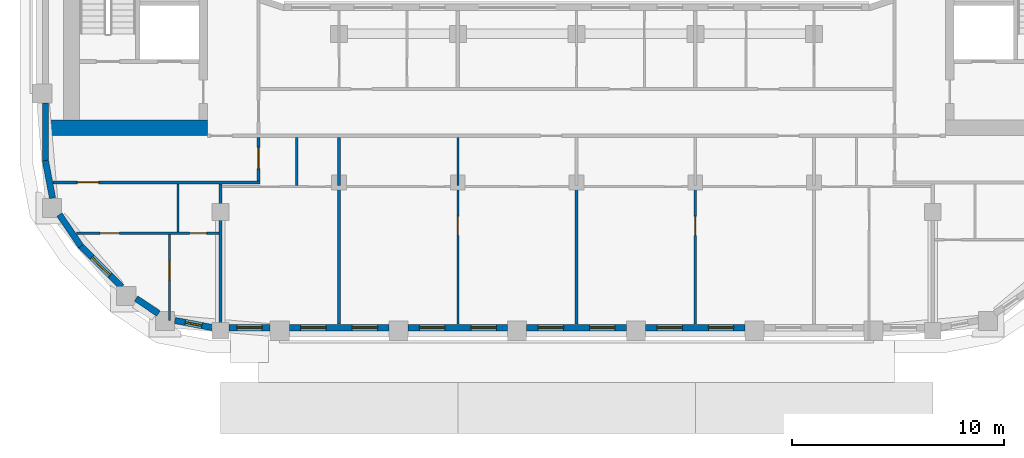
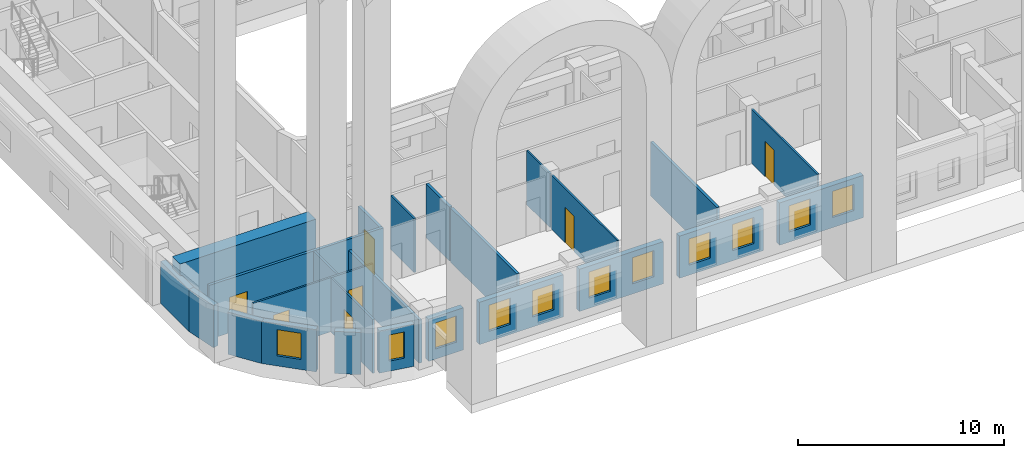
# One storey, part 2 of 20: 25 walls, 11 windows, 7 doors, 18 openings.
"""IFC4 building model written with IfcOpenShell, lengths in metres."""

from ifc_helpers import new_model, si_unit, direction, frame, frame_2d, origin, place, context, subcontext, project, spatial, rectangle, extrude, material, layer, layer_set, type_object, element, fill, save


model = new_model("IFC4")

# Units and contexts
model_context = context("Model", 3, precision=1e-05, world=origin(), true_north=direction((0.0, 1.0)))
body_context = subcontext(model_context, "Body", "Model", "MODEL_VIEW")
ifc_project = project(units=[si_unit("LENGTHUNIT", "METRE"), si_unit("AREAUNIT", "SQUARE_METRE"), si_unit("VOLUMEUNIT", "CUBIC_METRE"), si_unit("PLANEANGLEUNIT", "RADIAN"), si_unit("MASSUNIT", "GRAM", prefix="KILO")], contexts=[model_context])

# Site, building, storey
site_placement = place(None, origin())
site = spatial("IfcSite", under=ifc_project, at=site_placement, CompositionType="ELEMENT")
building_placement = place(site_placement, origin())
building = spatial("IfcBuilding", under=site, at=building_placement, Name="Kiln Ring Residences", CompositionType="ELEMENT")
storey_placement = place(building_placement, frame((0.0, 0.0, 188.89990234375)))
storey = spatial("IfcBuildingStorey", under=building, at=storey_placement, Name="L48", CompositionType="ELEMENT", Elevation=188.89990234375)

# Wall
ifc_material_1 = material(Name="Concrete C60/75", Category="concrete")
ifc_layer_1 = layer(ifc_material_1, 0.75)
ifc_layer_set_1 = layer_set([ifc_layer_1], Name="CORE-WALL-RC750")
wall_type_1 = type_object("IfcWallType", Name="CORE-WALL-RC750", PredefinedType="SHEAR", material=ifc_layer_set_1)
wall_1_placement = place(storey_placement, frame((-17.39990234375, -12.824951171875, 0.0), z_axis=(0.0, 0.0, 1.0), x_axis=(-1.0, 0.0, 0.0)))
element("IfcWall", 1, at=wall_1_placement, inside=storey, type_object=wall_type_1, Name="Core wall west L48 5", PredefinedType="SHEAR", context=body_context, shape_type="SweptSolid", body=[
    extrude(rectangle(XDim=7.60009765625, YDim=0.75, at=frame_2d((3.800048828125, 0.0))), origin(), (0.0, 0.0, 1.0), 3.2001953125),
])

# Wall, opening, window
ifc_material_2 = material(Name="Brick masonry, dark clay brick", Category="masonry")
ifc_layer_2 = layer(ifc_material_2, 0.300048828125)
ifc_layer_set_2 = layer_set([ifc_layer_2], Name="EW-300 BRICK WALL")
wall_type_2 = type_object("IfcWallType", Name="EW-300 BRICK WALL", PredefinedType="SOLIDWALL", material=ifc_layer_set_2)
wall_2_placement = place(storey_placement, frame((-23.39697265625, -18.390869140625, 0.0), z_axis=(0.0, 0.0, 1.0), x_axis=(0.707106781187, -0.707106781187, 0.0)))
wall_2 = element("IfcWall", 2, at=wall_2_placement, inside=storey, type_object=wall_type_2, Name="Facade wall L48 1", PredefinedType="SOLIDWALL", context=body_context, shape_type="SweptSolid", body=[
    extrude(rectangle(XDim=2.75, YDim=0.300048828125, at=frame_2d((1.375, 0.0))), origin(), (0.0, 0.0, 1.0), 2.5),
])
opening_1_placement = place(wall_2_placement, frame((0.77490234375, 0.0, 0.60009765625)))
opening_1 = element("IfcOpeningElement", 3, at=opening_1_placement, cuts=wall_2, Name="Opening W1", PredefinedType="OPENING", context=body_context, shape_type="SweptSolid", body=[
    extrude(rectangle(XDim=1.199951171875, YDim=1.550048828125, at=frame_2d((0.60009765625, 0.77490234375))), frame((0.0, 0.159912109375, 0.0), z_axis=(0.0, -1.0, 0.0), x_axis=(1.0, 0.0, 0.0)), (0.0, 0.0, 1.0), 0.320068359375),
])
ifc_material_3 = material(Name="Aluminium frame with double glazing", Category="aluminium")
window_type_1 = type_object("IfcWindowType", Name="WINDOW 1200 x 1550", PartitioningType="SINGLE_PANEL", PredefinedType="WINDOW", material=ifc_material_3)
window_1_placement = place(opening_1_placement, origin())
window_1 = element("IfcWindow", 4, at=window_1_placement, inside=storey, type_object=window_type_1, Name="Window L48 1", OverallHeight=1.550048828125, OverallWidth=1.199951171875, PartitioningType="SINGLE_PANEL", PredefinedType="WINDOW", context=body_context, shape_type="SweptSolid", body=[
    extrude(rectangle(XDim=1.199951171875, YDim=1.550048828125, at=frame_2d((0.60009765625, 0.77490234375))), frame((0.0, 0.030029296875, 0.0), z_axis=(0.0, -1.0, 0.0), x_axis=(1.0, 0.0, 0.0)), (0.0, 0.0, 1.0), 0.06005859375),
])
fill(opening_1, window_1)

# Wall
wall_3_placement = place(storey_placement, frame((-20.775146484375, -20.876220703125, 0.0), z_axis=(0.0, 0.0, 1.0), x_axis=(0.827075824828, -0.562090366388, 0.0)))
element("IfcWall", 5, at=wall_3_placement, inside=storey, type_object=wall_type_2, Name="Facade wall L48 2", PredefinedType="SOLIDWALL", context=body_context, shape_type="SweptSolid", body=[
    extrude(rectangle(XDim=1.27685546875, YDim=0.300048828125, at=frame_2d((0.638427734375, 0.0))), origin(), (0.0, 0.0, 1.0), 2.5),
])

# Wall, opening, window
wall_4_placement = place(storey_placement, frame((-18.946044921875, -21.914306640625, 0.0), z_axis=(0.0, 0.0, 1.0), x_axis=(0.98230529033, -0.187286722942, 0.0)))
wall_4 = element("IfcWall", 6, at=wall_4_placement, inside=storey, type_object=wall_type_2, Name="Facade wall L48 3", PredefinedType="SOLIDWALL", context=body_context, shape_type="SweptSolid", body=[
    extrude(rectangle(XDim=1.798828125, YDim=0.300048828125, at=frame_2d((0.8994140625, 0.0))), origin(), (0.0, 0.0, 1.0), 2.5),
])
opening_2_placement = place(wall_4_placement, frame((0.49951171875, 0.0, 0.60009765625)))
opening_2 = element("IfcOpeningElement", 7, at=opening_2_placement, cuts=wall_4, Name="Opening W5", PredefinedType="OPENING", context=body_context, shape_type="SweptSolid", body=[
    extrude(rectangle(XDim=0.800048828125, YDim=1.550048828125, at=frame_2d((0.39990234375, 0.77490234375))), frame((0.0, 0.159912109375, 0.0), z_axis=(0.0, -1.0, 0.0), x_axis=(1.0, 0.0, 0.0)), (0.0, 0.0, 1.0), 0.320068359375),
])
ifc_material_4 = material(Name="Aluminium frame with double glazing", Category="aluminium")
window_type_2 = type_object("IfcWindowType", Name="WINDOW 800 x 1550", PartitioningType="SINGLE_PANEL", PredefinedType="WINDOW", material=ifc_material_4)
window_2_placement = place(opening_2_placement, origin())
window_2 = element("IfcWindow", 8, at=window_2_placement, inside=storey, type_object=window_type_2, Name="Window L48 2", OverallHeight=1.550048828125, OverallWidth=0.800048828125, PartitioningType="SINGLE_PANEL", PredefinedType="WINDOW", context=body_context, shape_type="SweptSolid", body=[
    extrude(rectangle(XDim=0.800048828125, YDim=1.550048828125, at=frame_2d((0.39990234375, 0.77490234375))), frame((0.0, 0.030029296875, 0.0), z_axis=(0.0, -1.0, 0.0), x_axis=(1.0, 0.0, 0.0)), (0.0, 0.0, 1.0), 0.06005859375),
])
fill(opening_2, window_2)

wall_5_placement = place(storey_placement, frame((-16.39990234375, -22.25, 0.0), z_axis=(0.0, 0.0, 1.0), x_axis=(1.0, 0.0, 0.0)))
wall_5 = element("IfcWall", 9, at=wall_5_placement, inside=storey, type_object=wall_type_2, Name="Facade wall L48 4", PredefinedType="SOLIDWALL", context=body_context, shape_type="SweptSolid", body=[
    extrude(rectangle(XDim=1.949951171875, YDim=0.300048828125, at=frame_2d((0.97509765625, 0.0))), origin(), (0.0, 0.0, 1.0), 2.5),
])
opening_3_placement = place(wall_5_placement, frame((0.375, 0.0, 0.60009765625)))
opening_3 = element("IfcOpeningElement", 10, at=opening_3_placement, cuts=wall_5, Name="Opening W1", PredefinedType="OPENING", context=body_context, shape_type="SweptSolid", body=[
    extrude(rectangle(XDim=1.199951171875, YDim=1.550048828125, at=frame_2d((0.60009765625, 0.77490234375))), frame((0.0, 0.159912109375, 0.0), z_axis=(0.0, -1.0, 0.0), x_axis=(1.0, 0.0, 0.0)), (0.0, 0.0, 1.0), 0.320068359375),
])
window_3_placement = place(opening_3_placement, origin())
window_3 = element("IfcWindow", 11, at=window_3_placement, inside=storey, type_object=window_type_1, Name="Window L48 3", OverallHeight=1.550048828125, OverallWidth=1.199951171875, PartitioningType="SINGLE_PANEL", PredefinedType="WINDOW", context=body_context, shape_type="SweptSolid", body=[
    extrude(rectangle(XDim=1.199951171875, YDim=1.550048828125, at=frame_2d((0.60009765625, 0.77490234375))), frame((0.0, 0.030029296875, 0.0), z_axis=(0.0, -1.0, 0.0), x_axis=(1.0, 0.0, 0.0)), (0.0, 0.0, 1.0), 0.06005859375),
])
fill(opening_3, window_3)

# Wall, openings, windows
wall_6_placement = place(storey_placement, frame((-13.550048828125, -22.25, 0.0), z_axis=(0.0, 0.0, 1.0), x_axis=(1.0, 0.0, 0.0)))
wall_6 = element("IfcWall", 12, at=wall_6_placement, inside=storey, type_object=wall_type_2, Name="Facade wall L48 5", PredefinedType="SOLIDWALL", context=body_context, shape_type="SweptSolid", body=[
    extrude(rectangle(XDim=4.699951171875, YDim=0.300048828125, at=frame_2d((2.35009765625, 0.0))), origin(), (0.0, 0.0, 1.0), 2.5),
])
opening_4_placement = place(wall_6_placement, frame((0.53759765625, 0.0, 0.60009765625)))
opening_4 = element("IfcOpeningElement", 13, at=opening_4_placement, cuts=wall_6, Name="Opening W1", PredefinedType="OPENING", context=body_context, shape_type="SweptSolid", body=[
    extrude(rectangle(XDim=1.199951171875, YDim=1.550048828125, at=frame_2d((0.60009765625, 0.77490234375))), frame((0.0, 0.159912109375, 0.0), z_axis=(0.0, -1.0, 0.0), x_axis=(1.0, 0.0, 0.0)), (0.0, 0.0, 1.0), 0.320068359375),
])
opening_5_placement = place(wall_6_placement, frame((2.96240234375, 0.0, 0.60009765625)))
opening_5 = element("IfcOpeningElement", 14, at=opening_5_placement, cuts=wall_6, Name="Opening W1", PredefinedType="OPENING", context=body_context, shape_type="SweptSolid", body=[
    extrude(rectangle(XDim=1.199951171875, YDim=1.550048828125, at=frame_2d((0.60009765625, 0.77490234375))), frame((0.0, 0.159912109375, 0.0), z_axis=(0.0, -1.0, 0.0), x_axis=(1.0, 0.0, 0.0)), (0.0, 0.0, 1.0), 0.320068359375),
])
window_4_placement = place(opening_4_placement, origin())
window_4 = element("IfcWindow", 15, at=window_4_placement, inside=storey, type_object=window_type_1, Name="Window L48 4", OverallHeight=1.550048828125, OverallWidth=1.199951171875, PartitioningType="SINGLE_PANEL", PredefinedType="WINDOW", context=body_context, shape_type="SweptSolid", body=[
    extrude(rectangle(XDim=1.199951171875, YDim=1.550048828125, at=frame_2d((0.60009765625, 0.77490234375))), frame((0.0, 0.030029296875, 0.0), z_axis=(0.0, -1.0, 0.0), x_axis=(1.0, 0.0, 0.0)), (0.0, 0.0, 1.0), 0.06005859375),
])
fill(opening_4, window_4)
window_5_placement = place(opening_5_placement, origin())
window_5 = element("IfcWindow", 16, at=window_5_placement, inside=storey, type_object=window_type_1, Name="Window L48 5", OverallHeight=1.550048828125, OverallWidth=1.199951171875, PartitioningType="SINGLE_PANEL", PredefinedType="WINDOW", context=body_context, shape_type="SweptSolid", body=[
    extrude(rectangle(XDim=1.199951171875, YDim=1.550048828125, at=frame_2d((0.60009765625, 0.77490234375))), frame((0.0, 0.030029296875, 0.0), z_axis=(0.0, -1.0, 0.0), x_axis=(1.0, 0.0, 0.0)), (0.0, 0.0, 1.0), 0.06005859375),
])
fill(opening_5, window_5)

wall_7_placement = place(storey_placement, frame((-7.949951171875, -22.25, 0.0), z_axis=(0.0, 0.0, 1.0), x_axis=(1.0, 0.0, 0.0)))
wall_7 = element("IfcWall", 17, at=wall_7_placement, inside=storey, type_object=wall_type_2, Name="Facade wall L48 6", PredefinedType="SOLIDWALL", context=body_context, shape_type="SweptSolid", body=[
    extrude(rectangle(XDim=4.699951171875, YDim=0.300048828125, at=frame_2d((2.35009765625, 0.0))), origin(), (0.0, 0.0, 1.0), 2.5),
])
opening_6_placement = place(wall_7_placement, frame((0.53759765625, 0.0, 0.60009765625)))
opening_6 = element("IfcOpeningElement", 18, at=opening_6_placement, cuts=wall_7, Name="Opening W1", PredefinedType="OPENING", context=body_context, shape_type="SweptSolid", body=[
    extrude(rectangle(XDim=1.199951171875, YDim=1.550048828125, at=frame_2d((0.60009765625, 0.77490234375))), frame((0.0, 0.159912109375, 0.0), z_axis=(0.0, -1.0, 0.0), x_axis=(1.0, 0.0, 0.0)), (0.0, 0.0, 1.0), 0.320068359375),
])
opening_7_placement = place(wall_7_placement, frame((2.96240234375, 0.0, 0.60009765625)))
opening_7 = element("IfcOpeningElement", 19, at=opening_7_placement, cuts=wall_7, Name="Opening W1", PredefinedType="OPENING", context=body_context, shape_type="SweptSolid", body=[
    extrude(rectangle(XDim=1.199951171875, YDim=1.550048828125, at=frame_2d((0.60009765625, 0.77490234375))), frame((0.0, 0.159912109375, 0.0), z_axis=(0.0, -1.0, 0.0), x_axis=(1.0, 0.0, 0.0)), (0.0, 0.0, 1.0), 0.320068359375),
])
window_6_placement = place(opening_6_placement, origin())
window_6 = element("IfcWindow", 20, at=window_6_placement, inside=storey, type_object=window_type_1, Name="Window L48 6", OverallHeight=1.550048828125, OverallWidth=1.199951171875, PartitioningType="SINGLE_PANEL", PredefinedType="WINDOW", context=body_context, shape_type="SweptSolid", body=[
    extrude(rectangle(XDim=1.199951171875, YDim=1.550048828125, at=frame_2d((0.60009765625, 0.77490234375))), frame((0.0, 0.030029296875, 0.0), z_axis=(0.0, -1.0, 0.0), x_axis=(1.0, 0.0, 0.0)), (0.0, 0.0, 1.0), 0.06005859375),
])
fill(opening_6, window_6)
window_7_placement = place(opening_7_placement, origin())
window_7 = element("IfcWindow", 21, at=window_7_placement, inside=storey, type_object=window_type_1, Name="Window L48 7", OverallHeight=1.550048828125, OverallWidth=1.199951171875, PartitioningType="SINGLE_PANEL", PredefinedType="WINDOW", context=body_context, shape_type="SweptSolid", body=[
    extrude(rectangle(XDim=1.199951171875, YDim=1.550048828125, at=frame_2d((0.60009765625, 0.77490234375))), frame((0.0, 0.030029296875, 0.0), z_axis=(0.0, -1.0, 0.0), x_axis=(1.0, 0.0, 0.0)), (0.0, 0.0, 1.0), 0.06005859375),
])
fill(opening_7, window_7)

wall_8_placement = place(storey_placement, frame((-2.35009765625, -22.25, 0.0), z_axis=(0.0, 0.0, 1.0), x_axis=(1.0, 0.0, 0.0)))
wall_8 = element("IfcWall", 22, at=wall_8_placement, inside=storey, type_object=wall_type_2, Name="Facade wall L48 7", PredefinedType="SOLIDWALL", context=body_context, shape_type="SweptSolid", body=[
    extrude(rectangle(XDim=4.7001953125, YDim=0.300048828125, at=frame_2d((2.35009765625, 0.0))), origin(), (0.0, 0.0, 1.0), 2.5),
])
opening_8_placement = place(wall_8_placement, frame((0.53759765625, 0.0, 0.60009765625)))
opening_8 = element("IfcOpeningElement", 23, at=opening_8_placement, cuts=wall_8, Name="Opening W1", PredefinedType="OPENING", context=body_context, shape_type="SweptSolid", body=[
    extrude(rectangle(XDim=1.199951171875, YDim=1.550048828125, at=frame_2d((0.60009765625, 0.77490234375))), frame((0.0, 0.159912109375, 0.0), z_axis=(0.0, -1.0, 0.0), x_axis=(1.0, 0.0, 0.0)), (0.0, 0.0, 1.0), 0.320068359375),
])
opening_9_placement = place(wall_8_placement, frame((2.96240234375, 0.0, 0.60009765625)))
opening_9 = element("IfcOpeningElement", 24, at=opening_9_placement, cuts=wall_8, Name="Opening W1", PredefinedType="OPENING", context=body_context, shape_type="SweptSolid", body=[
    extrude(rectangle(XDim=1.199951171875, YDim=1.550048828125, at=frame_2d((0.60009765625, 0.77490234375))), frame((0.0, 0.159912109375, 0.0), z_axis=(0.0, -1.0, 0.0), x_axis=(1.0, 0.0, 0.0)), (0.0, 0.0, 1.0), 0.320068359375),
])
window_8_placement = place(opening_8_placement, origin())
window_8 = element("IfcWindow", 25, at=window_8_placement, inside=storey, type_object=window_type_1, Name="Window L48 8", OverallHeight=1.550048828125, OverallWidth=1.199951171875, PartitioningType="SINGLE_PANEL", PredefinedType="WINDOW", context=body_context, shape_type="SweptSolid", body=[
    extrude(rectangle(XDim=1.199951171875, YDim=1.550048828125, at=frame_2d((0.60009765625, 0.77490234375))), frame((0.0, 0.030029296875, 0.0), z_axis=(0.0, -1.0, 0.0), x_axis=(1.0, 0.0, 0.0)), (0.0, 0.0, 1.0), 0.06005859375),
])
fill(opening_8, window_8)
window_9_placement = place(opening_9_placement, origin())
window_9 = element("IfcWindow", 26, at=window_9_placement, inside=storey, type_object=window_type_1, Name="Window L48 9", OverallHeight=1.550048828125, OverallWidth=1.199951171875, PartitioningType="SINGLE_PANEL", PredefinedType="WINDOW", context=body_context, shape_type="SweptSolid", body=[
    extrude(rectangle(XDim=1.199951171875, YDim=1.550048828125, at=frame_2d((0.60009765625, 0.77490234375))), frame((0.0, 0.030029296875, 0.0), z_axis=(0.0, -1.0, 0.0), x_axis=(1.0, 0.0, 0.0)), (0.0, 0.0, 1.0), 0.06005859375),
])
fill(opening_9, window_9)

wall_9_placement = place(storey_placement, frame((3.25, -22.25, 0.0), z_axis=(0.0, 0.0, 1.0), x_axis=(1.0, 0.0, 0.0)))
wall_9 = element("IfcWall", 27, at=wall_9_placement, inside=storey, type_object=wall_type_2, Name="Facade wall L48 8", PredefinedType="SOLIDWALL", context=body_context, shape_type="SweptSolid", body=[
    extrude(rectangle(XDim=4.699951171875, YDim=0.300048828125, at=frame_2d((2.35009765625, 0.0))), origin(), (0.0, 0.0, 1.0), 2.5),
])
opening_10_placement = place(wall_9_placement, frame((0.53759765625, 0.0, 0.60009765625)))
opening_10 = element("IfcOpeningElement", 28, at=opening_10_placement, cuts=wall_9, Name="Opening W1", PredefinedType="OPENING", context=body_context, shape_type="SweptSolid", body=[
    extrude(rectangle(XDim=1.199951171875, YDim=1.550048828125, at=frame_2d((0.60009765625, 0.77490234375))), frame((0.0, 0.159912109375, 0.0), z_axis=(0.0, -1.0, 0.0), x_axis=(1.0, 0.0, 0.0)), (0.0, 0.0, 1.0), 0.320068359375),
])
opening_11_placement = place(wall_9_placement, frame((2.96240234375, 0.0, 0.60009765625)))
opening_11 = element("IfcOpeningElement", 29, at=opening_11_placement, cuts=wall_9, Name="Opening W1", PredefinedType="OPENING", context=body_context, shape_type="SweptSolid", body=[
    extrude(rectangle(XDim=1.199951171875, YDim=1.550048828125, at=frame_2d((0.60009765625, 0.77490234375))), frame((0.0, 0.159912109375, 0.0), z_axis=(0.0, -1.0, 0.0), x_axis=(1.0, 0.0, 0.0)), (0.0, 0.0, 1.0), 0.320068359375),
])
window_10_placement = place(opening_10_placement, origin())
window_10 = element("IfcWindow", 30, at=window_10_placement, inside=storey, type_object=window_type_1, Name="Window L48 10", OverallHeight=1.550048828125, OverallWidth=1.199951171875, PartitioningType="SINGLE_PANEL", PredefinedType="WINDOW", context=body_context, shape_type="SweptSolid", body=[
    extrude(rectangle(XDim=1.199951171875, YDim=1.550048828125, at=frame_2d((0.60009765625, 0.77490234375))), frame((0.0, 0.030029296875, 0.0), z_axis=(0.0, -1.0, 0.0), x_axis=(1.0, 0.0, 0.0)), (0.0, 0.0, 1.0), 0.06005859375),
])
fill(opening_10, window_10)
window_11_placement = place(opening_11_placement, origin())
window_11 = element("IfcWindow", 31, at=window_11_placement, inside=storey, type_object=window_type_1, Name="Window L48 11", OverallHeight=1.550048828125, OverallWidth=1.199951171875, PartitioningType="SINGLE_PANEL", PredefinedType="WINDOW", context=body_context, shape_type="SweptSolid", body=[
    extrude(rectangle(XDim=1.199951171875, YDim=1.550048828125, at=frame_2d((0.60009765625, 0.77490234375))), frame((0.0, 0.030029296875, 0.0), z_axis=(0.0, -1.0, 0.0), x_axis=(1.0, 0.0, 0.0)), (0.0, 0.0, 1.0), 0.06005859375),
])
fill(opening_11, window_11)

# Walls
wall_10_placement = place(storey_placement, frame((-25.050048828125, -11.64990234375, 0.0), z_axis=(0.0, 0.0, 1.0), x_axis=(0.0, -1.0, 0.0)))
element("IfcWall", 32, at=wall_10_placement, inside=storey, type_object=wall_type_2, Name="Facade wall L48 44", PredefinedType="SOLIDWALL", context=body_context, shape_type="SweptSolid", body=[
    extrude(rectangle(XDim=2.75, YDim=0.300048828125, at=frame_2d((1.375, 0.0))), origin(), (0.0, 0.0, 1.0), 2.5),
])
for number, where, z_axis, x_axis, name in (
    (33, (-25.052734375, -14.371826171875, 0.0), (0.0, 0.0, 1.0), (0.187348135549, -0.982293579388, 0.0), "Facade wall L48 45"),
    (34, (-24.39404296875, -16.9189453125, 0.0), (0.0, 0.0, 1.0), (0.562040093569, -0.827109988588, 0.0), "Facade wall L48 46"),
):
    element("IfcWall", number, at=place(storey_placement, frame(where, z_axis=z_axis, x_axis=x_axis)), inside=storey, type_object=wall_type_2, Name=name, PredefinedType="SOLIDWALL", context=body_context, shape_type="SweptSolid", body=[
        extrude(rectangle(XDim=1.80615234375, YDim=0.300048828125, at=frame_2d((0.903076171875, 0.0))), origin(), (0.0, 0.0, 1.0), 2.5),
    ])

# Wall, openings, doors
ifc_material_5 = material(Name="Gypsum board on steel studs", Category="steel")
ifc_layer_3 = layer(ifc_material_5, 0.10009765625)
ifc_layer_set_3 = layer_set([ifc_layer_3], Name="PARTITION-100")
wall_type_3 = type_object("IfcWallType", Name="PARTITION-100", PredefinedType="PARTITIONING", material=ifc_layer_set_3)
wall_11_placement = place(storey_placement, frame((-23.593994140625, -17.800048828125, 0.0), z_axis=(0.0, 0.0, 1.0), x_axis=(1.0, 0.0, 0.0)))
wall_11 = element("IfcWall", 35, at=wall_11_placement, inside=storey, type_object=wall_type_3, Name="Partition 001", PredefinedType="PARTITIONING", context=body_context, shape_type="SweptSolid", body=[
    extrude(rectangle(XDim=6.718994140625, YDim=0.10009765625, at=frame_2d((3.359375, 0.0))), origin(), (0.0, 0.0, 1.0), 3.2001953125),
])
opening_12_placement = place(wall_11_placement, frame((5.343994140625, 0.0, 0.0)))
opening_12 = element("IfcOpeningElement", 36, at=opening_12_placement, cuts=wall_11, Name="Opening L48-D066", PredefinedType="OPENING", context=body_context, shape_type="SweptSolid", body=[
    extrude(rectangle(XDim=0.800048828125, YDim=2.10009765625, at=frame_2d((0.39990234375, 1.050048828125))), frame((0.0, 0.06005859375, 0.0), z_axis=(0.0, -1.0, 0.0), x_axis=(1.0, 0.0, 0.0)), (0.0, 0.0, 1.0), 0.1201171875),
])
opening_13_placement = place(wall_11_placement, frame((1.1259765625, 0.0, 0.0)))
opening_13 = element("IfcOpeningElement", 37, at=opening_13_placement, cuts=wall_11, Name="Opening L48-D067", PredefinedType="OPENING", context=body_context, shape_type="SweptSolid", body=[
    extrude(rectangle(XDim=0.89990234375, YDim=2.10009765625, at=frame_2d((0.449951171875, 1.050048828125))), frame((0.0, 0.06005859375, 0.0), z_axis=(0.0, -1.0, 0.0), x_axis=(1.0, 0.0, 0.0)), (0.0, 0.0, 1.0), 0.1201171875),
])
ifc_material_6 = material(Name="Timber door leaf", Category="wood")
door_type_1 = type_object("IfcDoorType", Name="FLAT-DOOR-800-PL", OperationType="SINGLE_SWING_LEFT", PredefinedType="DOOR", material=ifc_material_6)
door_1_placement = place(opening_12_placement, origin())
door_1 = element("IfcDoor", 38, at=door_1_placement, inside=storey, type_object=door_type_1, Name="Door L48-D066", OperationType="SINGLE_SWING_RIGHT", OverallHeight=2.10009765625, OverallWidth=0.800048828125, PredefinedType="DOOR", context=body_context, shape_type="SweptSolid", body=[
    extrude(rectangle(XDim=0.800048828125, YDim=2.10009765625, at=frame_2d((0.39990234375, 1.050048828125))), frame((0.0, 0.02490234375, 0.0), z_axis=(0.0, -1.0, 0.0), x_axis=(1.0, 0.0, 0.0)), (0.0, 0.0, 1.0), 0.050048828125),
])
fill(opening_12, door_1)
ifc_material_7 = material(Name="Timber door leaf", Category="wood")
door_type_2 = type_object("IfcDoorType", Name="FLAT-DOOR-900-PL", OperationType="SINGLE_SWING_LEFT", PredefinedType="DOOR", material=ifc_material_7)
door_2_placement = place(opening_13_placement, origin())
door_2 = element("IfcDoor", 39, at=door_2_placement, inside=storey, type_object=door_type_2, Name="Door L48-D067", OperationType="SINGLE_SWING_LEFT", OverallHeight=2.10009765625, OverallWidth=0.89990234375, PredefinedType="DOOR", context=body_context, shape_type="SweptSolid", body=[
    extrude(rectangle(XDim=0.89990234375, YDim=2.10009765625, at=frame_2d((0.449951171875, 1.050048828125))), frame((0.0, 0.02490234375, 0.0), z_axis=(0.0, -1.0, 0.0), x_axis=(1.0, 0.0, 0.0)), (0.0, 0.0, 1.0), 0.050048828125),
])
fill(opening_13, door_2)

# Wall, opening, door
wall_12_placement = place(storey_placement, frame((-19.199951171875, -21.919921875, 0.0), z_axis=(0.0, 0.0, 1.0), x_axis=(0.0, 1.0, 0.0)))
wall_12 = element("IfcWall", 40, at=wall_12_placement, inside=storey, type_object=wall_type_3, Name="Partition 014", PredefinedType="PARTITIONING", context=body_context, shape_type="SweptSolid", body=[
    extrude(rectangle(XDim=4.06982421875, YDim=0.10009765625, at=frame_2d((2.034912109375, 0.0))), origin(), (0.0, 0.0, 1.0), 3.2001953125),
])
opening_14_placement = place(wall_12_placement, frame((1.89306640625, 0.0, 0.0)))
opening_14 = element("IfcOpeningElement", 41, at=opening_14_placement, cuts=wall_12, Name="Opening L48-D068", PredefinedType="OPENING", context=body_context, shape_type="SweptSolid", body=[
    extrude(rectangle(XDim=0.89990234375, YDim=2.10009765625, at=frame_2d((0.449951171875, 1.050048828125))), frame((0.0, 0.06005859375, 0.0), z_axis=(0.0, -1.0, 0.0), x_axis=(1.0, 0.0, 0.0)), (0.0, 0.0, 1.0), 0.1201171875),
])
door_3_placement = place(opening_14_placement, origin())
door_3 = element("IfcDoor", 42, at=door_3_placement, inside=storey, type_object=door_type_2, Name="Door L48-D068", OperationType="SINGLE_SWING_RIGHT", OverallHeight=2.10009765625, OverallWidth=0.89990234375, PredefinedType="DOOR", context=body_context, shape_type="SweptSolid", body=[
    extrude(rectangle(XDim=0.89990234375, YDim=2.10009765625, at=frame_2d((0.449951171875, 1.050048828125))), frame((0.0, 0.02490234375, 0.0), z_axis=(0.0, -1.0, 0.0), x_axis=(1.0, 0.0, 0.0)), (0.0, 0.0, 1.0), 0.050048828125),
])
fill(opening_14, door_3)

# Walls
wall_13_placement = place(storey_placement, frame((-18.800048828125, -17.75, 0.0), z_axis=(0.0, 0.0, 1.0), x_axis=(0.0, 1.0, 0.0)))
element("IfcWall", 43, at=wall_13_placement, inside=storey, type_object=wall_type_3, Name="Partition 016", PredefinedType="PARTITIONING", context=body_context, shape_type="SweptSolid", body=[
    extrude(rectangle(XDim=2.27490234375, YDim=0.10009765625, at=frame_2d((1.137451171875, 0.0))), origin(), (0.0, 0.0, 1.0), 3.2001953125),
])
wall_14_placement = place(storey_placement, frame((-13.199951171875, -15.550048828125, 0.0), z_axis=(0.0, 0.0, 1.0), x_axis=(0.0, 1.0, 0.0)))
element("IfcWall", 44, at=wall_14_placement, inside=storey, type_object=wall_type_3, Name="Partition 023", PredefinedType="PARTITIONING", context=body_context, shape_type="SweptSolid", body=[
    extrude(rectangle(XDim=2.275146484375, YDim=0.10009765625, at=frame_2d((1.1376953125, 0.0))), origin(), (0.0, 0.0, 1.0), 3.2001953125),
])

# Wall, opening, door
wall_15_placement = place(storey_placement, frame((-5.60009765625, -22.080078125, 0.0), z_axis=(0.0, 0.0, 1.0), x_axis=(0.0, 1.0, 0.0)))
wall_15 = element("IfcWall", 45, at=wall_15_placement, inside=storey, type_object=wall_type_3, Name="Partition 031", PredefinedType="PARTITIONING", context=body_context, shape_type="SweptSolid", body=[
    extrude(rectangle(XDim=6.43017578125, YDim=0.10009765625, at=frame_2d((3.215087890625, 0.0))), origin(), (0.0, 0.0, 1.0), 3.2001953125),
])
opening_15_placement = place(wall_15_placement, frame((4.179931640625, 0.0, 0.0)))
opening_15 = element("IfcOpeningElement", 46, at=opening_15_placement, cuts=wall_15, Name="Opening L48-D053", PredefinedType="OPENING", context=body_context, shape_type="SweptSolid", body=[
    extrude(rectangle(XDim=0.89990234375, YDim=2.10009765625, at=frame_2d((0.449951171875, 1.050048828125))), frame((0.0, 0.06005859375, 0.0), z_axis=(0.0, -1.0, 0.0), x_axis=(1.0, 0.0, 0.0)), (0.0, 0.0, 1.0), 0.1201171875),
])
door_4_placement = place(opening_15_placement, origin())
door_4 = element("IfcDoor", 47, at=door_4_placement, inside=storey, type_object=door_type_2, Name="Door L48-D053", OperationType="SINGLE_SWING_LEFT", OverallHeight=2.10009765625, OverallWidth=0.89990234375, PredefinedType="DOOR", context=body_context, shape_type="SweptSolid", body=[
    extrude(rectangle(XDim=0.89990234375, YDim=2.10009765625, at=frame_2d((0.449951171875, 1.050048828125))), frame((0.0, 0.02490234375, 0.0), z_axis=(0.0, -1.0, 0.0), x_axis=(1.0, 0.0, 0.0)), (0.0, 0.0, 1.0), 0.050048828125),
])
fill(opening_15, door_4)

# Wall
wall_16_placement = place(storey_placement, frame((-5.60009765625, -15.550048828125, 0.0), z_axis=(0.0, 0.0, 1.0), x_axis=(0.0, 1.0, 0.0)))
element("IfcWall", 48, at=wall_16_placement, inside=storey, type_object=wall_type_3, Name="Partition 032", PredefinedType="PARTITIONING", context=body_context, shape_type="SweptSolid", body=[
    extrude(rectangle(XDim=2.275146484375, YDim=0.10009765625, at=frame_2d((1.1376953125, 0.0))), origin(), (0.0, 0.0, 1.0), 3.2001953125),
])

# Wall, opening, door
wall_17_placement = place(storey_placement, frame((5.60009765625, -22.080078125, 0.0), z_axis=(0.0, 0.0, 1.0), x_axis=(0.0, 1.0, 0.0)))
wall_17 = element("IfcWall", 49, at=wall_17_placement, inside=storey, type_object=wall_type_3, Name="Partition 047", PredefinedType="PARTITIONING", context=body_context, shape_type="SweptSolid", body=[
    extrude(rectangle(XDim=6.43017578125, YDim=0.10009765625, at=frame_2d((3.215087890625, 0.0))), origin(), (0.0, 0.0, 1.0), 3.2001953125),
])
opening_16_placement = place(wall_17_placement, frame((4.179931640625, 0.0, 0.0)))
opening_16 = element("IfcOpeningElement", 50, at=opening_16_placement, cuts=wall_17, Name="Opening L48-D057", PredefinedType="OPENING", context=body_context, shape_type="SweptSolid", body=[
    extrude(rectangle(XDim=0.89990234375, YDim=2.10009765625, at=frame_2d((0.449951171875, 1.050048828125))), frame((0.0, 0.06005859375, 0.0), z_axis=(0.0, -1.0, 0.0), x_axis=(1.0, 0.0, 0.0)), (0.0, 0.0, 1.0), 0.1201171875),
])
door_5_placement = place(opening_16_placement, origin())
door_5 = element("IfcDoor", 51, at=door_5_placement, inside=storey, type_object=door_type_2, Name="Door L48-D057", OperationType="SINGLE_SWING_LEFT", OverallHeight=2.10009765625, OverallWidth=0.89990234375, PredefinedType="DOOR", context=body_context, shape_type="SweptSolid", body=[
    extrude(rectangle(XDim=0.89990234375, YDim=2.10009765625, at=frame_2d((0.449951171875, 1.050048828125))), frame((0.0, 0.02490234375, 0.0), z_axis=(0.0, -1.0, 0.0), x_axis=(1.0, 0.0, 0.0)), (0.0, 0.0, 1.0), 0.050048828125),
])
fill(opening_16, door_5)

ifc_material_8 = material(Name="Brick masonry partition", Category="masonry")
ifc_layer_4 = layer(ifc_material_8, 0.14990234375)
ifc_layer_set_4 = layer_set([ifc_layer_4], Name="PARTITION-150-ei60")
wall_type_4 = type_object("IfcWallType", Name="PARTITION-150-ei60", PredefinedType="PARTITIONING", material=ifc_layer_set_4)
wall_18_placement = place(storey_placement, frame((-24.683837890625, -15.39990234375, 0.0), z_axis=(0.0, 0.0, 1.0), x_axis=(1.0, 0.0, 0.0)))
wall_18 = element("IfcWall", 52, at=wall_18_placement, inside=storey, type_object=wall_type_4, Name="Partition 003", PredefinedType="PARTITIONING", context=body_context, shape_type="SweptSolid", body=[
    extrude(rectangle(XDim=9.7587890625, YDim=0.14990234375, at=frame_2d((4.87939453125, 0.0))), origin(), (0.0, 0.0, 1.0), 3.2001953125),
])
opening_17_placement = place(wall_18_placement, frame((1.142822265625, 0.0, 0.0)))
opening_17 = element("IfcOpeningElement", 53, at=opening_17_placement, cuts=wall_18, Name="Opening L48-D065", PredefinedType="OPENING", context=body_context, shape_type="SweptSolid", body=[
    extrude(rectangle(XDim=1.0, YDim=2.10009765625, at=frame_2d((0.5, 1.050048828125))), frame((0.0, 0.0849609375, 0.0), z_axis=(0.0, -1.0, 0.0), x_axis=(1.0, 0.0, 0.0)), (0.0, 0.0, 1.0), 0.169921875),
])
ifc_material_9 = material(Name="Steel faced fire door leaf", Category="steel")
door_type_3 = type_object("IfcDoorType", Name="FLAT-DOOR-1000-FR", OperationType="SINGLE_SWING_LEFT", PredefinedType="DOOR", material=ifc_material_9)
door_6_placement = place(opening_17_placement, origin())
door_6 = element("IfcDoor", 54, at=door_6_placement, inside=storey, type_object=door_type_3, Name="Door L48-D065", OperationType="SINGLE_SWING_LEFT", OverallHeight=2.10009765625, OverallWidth=1.0, PredefinedType="DOOR", context=body_context, shape_type="SweptSolid", body=[
    extrude(rectangle(XDim=1.0, YDim=2.10009765625, at=frame_2d((0.5, 1.050048828125))), frame((0.0, 0.02490234375, 0.0), z_axis=(0.0, -1.0, 0.0), x_axis=(1.0, 0.0, 0.0)), (0.0, 0.0, 1.0), 0.050048828125),
])
fill(opening_17, door_6)

# Wall
wall_19_placement = place(storey_placement, frame((-16.800048828125, -22.31005859375, 0.0), z_axis=(0.0, 0.0, 1.0), x_axis=(0.0, 1.0, 0.0)))
element("IfcWall", 55, at=wall_19_placement, inside=storey, type_object=wall_type_4, Name="Partition 017", PredefinedType="PARTITIONING", context=body_context, shape_type="SweptSolid", body=[
    extrude(rectangle(XDim=6.8349609375, YDim=0.14990234375, at=frame_2d((3.41748046875, 0.0))), origin(), (0.0, 0.0, 1.0), 2.550048828125),
])

# Wall, opening, door
wall_20_placement = place(storey_placement, frame((-15.0, -15.324951171875, 0.0), z_axis=(0.0, 0.0, 1.0), x_axis=(0.0, 1.0, 0.0)))
wall_20 = element("IfcWall", 56, at=wall_20_placement, inside=storey, type_object=wall_type_4, Name="Partition 019", PredefinedType="PARTITIONING", context=body_context, shape_type="SweptSolid", body=[
    extrude(rectangle(XDim=2.050048828125, YDim=0.14990234375, at=frame_2d((1.02490234375, 0.0))), origin(), (0.0, 0.0, 1.0), 3.2001953125),
])
opening_18_placement = place(wall_20_placement, frame((0.573974609375, 0.0, 0.0)))
opening_18 = element("IfcOpeningElement", 57, at=opening_18_placement, cuts=wall_20, Name="Opening L48-D047", PredefinedType="OPENING", context=body_context, shape_type="SweptSolid", body=[
    extrude(rectangle(XDim=1.0, YDim=2.10009765625, at=frame_2d((0.5, 1.050048828125))), frame((0.0, 0.0849609375, 0.0), z_axis=(0.0, -1.0, 0.0), x_axis=(1.0, 0.0, 0.0)), (0.0, 0.0, 1.0), 0.169921875),
])
door_7_placement = place(opening_18_placement, origin())
door_7 = element("IfcDoor", 58, at=door_7_placement, inside=storey, type_object=door_type_3, Name="Door L48-D047", OperationType="SINGLE_SWING_LEFT", OverallHeight=2.10009765625, OverallWidth=1.0, PredefinedType="DOOR", context=body_context, shape_type="SweptSolid", body=[
    extrude(rectangle(XDim=1.0, YDim=2.10009765625, at=frame_2d((0.5, 1.050048828125))), frame((0.0, 0.02490234375, 0.0), z_axis=(0.0, -1.0, 0.0), x_axis=(1.0, 0.0, 0.0)), (0.0, 0.0, 1.0), 0.050048828125),
])
fill(opening_18, door_7)

# Walls
wall_21_placement = place(storey_placement, frame((-11.199951171875, -22.080078125, 0.0), z_axis=(0.0, 0.0, 1.0), x_axis=(0.0, 1.0, 0.0)))
element("IfcWall", 59, at=wall_21_placement, inside=storey, type_object=wall_type_4, Name="Partition 028", PredefinedType="PARTITIONING", context=body_context, shape_type="SweptSolid", body=[
    extrude(rectangle(XDim=6.43017578125, YDim=0.14990234375, at=frame_2d((3.215087890625, 0.0))), origin(), (0.0, 0.0, 1.0), 3.2001953125),
])
wall_22_placement = place(storey_placement, frame((-11.199951171875, -15.550048828125, 0.0), z_axis=(0.0, 0.0, 1.0), x_axis=(0.0, 1.0, 0.0)))
element("IfcWall", 60, at=wall_22_placement, inside=storey, type_object=wall_type_4, Name="Partition 029", PredefinedType="PARTITIONING", context=body_context, shape_type="SweptSolid", body=[
    extrude(rectangle(XDim=2.275146484375, YDim=0.14990234375, at=frame_2d((1.1376953125, 0.0))), origin(), (0.0, 0.0, 1.0), 3.2001953125),
])
wall_23_placement = place(storey_placement, frame((0.0, -22.080078125, 0.0), z_axis=(0.0, 0.0, 1.0), x_axis=(0.0, 1.0, 0.0)))
element("IfcWall", 61, at=wall_23_placement, inside=storey, type_object=wall_type_4, Name="Partition 040", PredefinedType="PARTITIONING", context=body_context, shape_type="SweptSolid", body=[
    extrude(rectangle(XDim=6.43017578125, YDim=0.14990234375, at=frame_2d((3.215087890625, 0.0))), origin(), (0.0, 0.0, 1.0), 3.2001953125),
])

save(model, "model.ifc")
